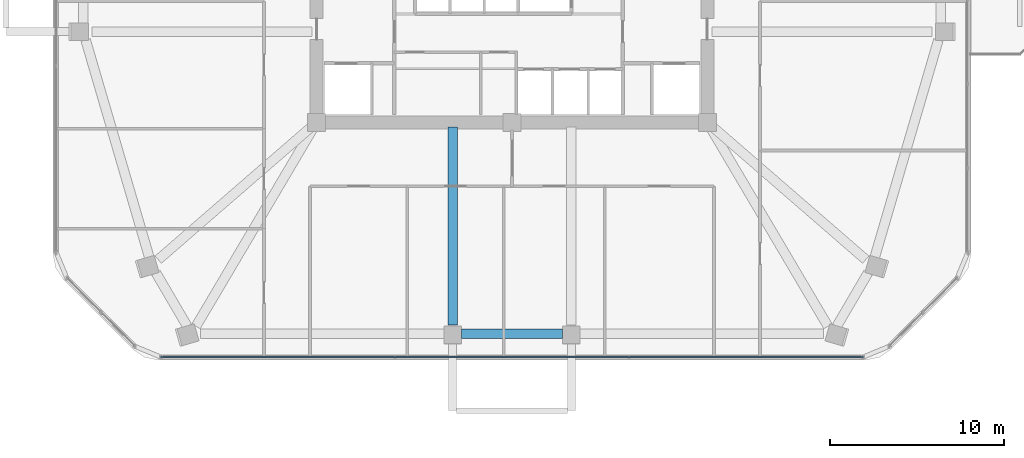
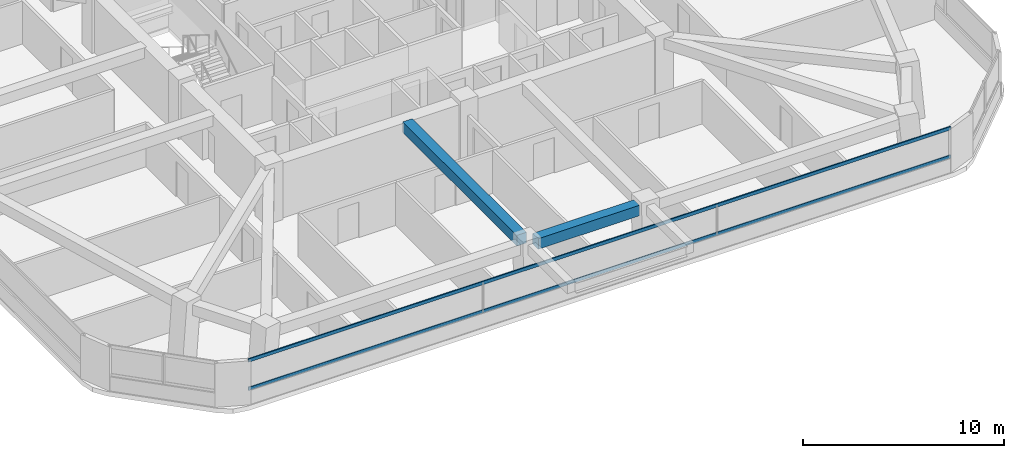
# One storey, part 3 of 14: 2 beams, 2 members, 1 element without a shape of its own.
"""IFC4 building model written with IfcOpenShell, lengths in metres."""

from ifc_helpers import new_model, si_unit, derived_unit, direction, frame, origin, origin_2d, place, context, subcontext, project, spatial, rectangle, extrude, material, material_profile, profile_set, type_object, element, aggregate, save


model = new_model("IFC4")

# Units and contexts
model_context = context("Model", 3, precision=1e-05, world=origin(), true_north=direction((0.0, 1.0)))
body_context = subcontext(model_context, "Body", "Model", "MODEL_VIEW")
ifc_project = project(units=[si_unit("LENGTHUNIT", "METRE"), si_unit("AREAUNIT", "SQUARE_METRE"), si_unit("VOLUMEUNIT", "CUBIC_METRE"), si_unit("PLANEANGLEUNIT", "RADIAN"), si_unit("MASSUNIT", "GRAM", prefix="KILO"), derived_unit("THERMALTRANSMITTANCEUNIT", [(si_unit("POWERUNIT", "WATT"), 1), (si_unit("LENGTHUNIT", "METRE"), -2), (si_unit("THERMODYNAMICTEMPERATUREUNIT", "KELVIN"), -1)])], contexts=[model_context])

# Site, building, storey
site_placement = place(None, origin())
site = spatial("IfcSite", under=ifc_project, at=site_placement, CompositionType="ELEMENT")
building_placement = place(site_placement, origin())
building = spatial("IfcBuilding", under=site, at=building_placement, Name="Koralith Skygarden Medical Center", CompositionType="ELEMENT")
storey_placement = place(building_placement, frame((0.0, 0.0, 95.580078125)))
storey = spatial("IfcBuildingStorey", under=building, at=storey_placement, Name="L24", CompositionType="ELEMENT", Elevation=95.580078125)

# Curtain wall, members
ifc_material_1 = material(Name="Clear Laminated Glass", Category="glass")
curtain_wall_type = type_object("IfcCurtainWallType", Name="CW-3 Zone 2 Faceted Solar Curtain Wall", PredefinedType="NOTDEFINED", material=ifc_material_1)
curtain_wall_placement = place(storey_placement, origin())
curtain_wall = element("IfcCurtainWall", 1, at=curtain_wall_placement, inside=storey, type_object=curtain_wall_type, Name="Curtain Wall CW-L24-S", PredefinedType="NOTDEFINED")
ifc_material_2 = material(Name="Aluminium 6063-T6", Category="aluminium")
ifc_material_profile_1 = material_profile(ifc_material_2, rectangle(XDim=0.069091796875, YDim=0.197998046875, at=origin_2d()), Name="TRN69X198")
ifc_profile_set_1 = profile_set([ifc_material_profile_1], Name="Aluminium 6063-T6")
member_type = type_object("IfcMemberType", Name="CW-3 Thermal Transom 69x198", PredefinedType="USERDEFINED", material=ifc_profile_set_1)
member_1_placement = place(storey_placement, frame((16.860107421875, 3.85693359375, 0.89990234375), z_axis=(1.0, 0.0, 0.0), x_axis=(0.0, 1.0, 0.0)))
member_1 = element("IfcMember", 2, at=member_1_placement, type_object=member_type, Name="CW-L24-S Transom 1", ObjectType="TRANSOM", PredefinedType="USERDEFINED", context=body_context, shape_type="SweptSolid", body=[
    extrude(rectangle(XDim=0.069091796875, YDim=0.197998046875, at=origin_2d()), origin(), (0.0, 0.0, 1.0), 40.27978515625),
])
member_2_placement = place(storey_placement, frame((16.860107421875, 3.85693359375, 2.619873046875), z_axis=(1.0, 0.0, 0.0), x_axis=(0.0, 1.0, 0.0)))
member_2 = element("IfcMember", 3, at=member_2_placement, type_object=member_type, Name="CW-L24-S Transom 2", ObjectType="TRANSOM", PredefinedType="USERDEFINED", context=body_context, shape_type="SweptSolid", body=[
    extrude(rectangle(XDim=0.069091796875, YDim=0.197998046875, at=origin_2d()), origin(), (0.0, 0.0, 1.0), 40.27978515625),
])
aggregate(curtain_wall, [member_1, member_2])

# Beams
ifc_material_3 = material(Name="Concrete C45/55", Category="concrete")
ifc_material_profile_2 = material_profile(ifc_material_3, rectangle(XDim=0.550048828125, YDim=0.639892578125, at=origin_2d()), Name="RCB550X640")
ifc_profile_set_2 = profile_set([ifc_material_profile_2], Name="Concrete C45/55")
beam_type_1 = type_object("IfcBeamType", Name="Radial Collector Beam RCB550X640", PredefinedType="BEAM", material=ifc_profile_set_2)
beam_1_placement = place(storey_placement, frame((33.60009765625, 17.050048828125, 3.0), z_axis=(0.0, -1.0, 0.0), x_axis=(1.0, 0.0, 0.0)))
element("IfcBeam", 4, at=beam_1_placement, inside=storey, type_object=beam_type_1, Name="L24 Radial Collector Beam RB-04", PredefinedType="BEAM", context=body_context, shape_type="SweptSolid", body=[
    extrude(rectangle(XDim=0.550048828125, YDim=0.639892578125, at=origin_2d()), origin(), (0.0, 0.0, 1.0), 11.364990234375),
])
ifc_material_profile_3 = material_profile(ifc_material_3, rectangle(XDim=0.550048828125, YDim=0.639892578125, at=origin_2d()), Name="RCB550X640")
ifc_profile_set_3 = profile_set([ifc_material_profile_3], Name="Concrete C45/55")
beam_type_2 = type_object("IfcBeamType", Name="Zone 2-3 Spandrel Beam RCB550X640", PredefinedType="SPANDREL", material=ifc_profile_set_3)
beam_2_placement = place(storey_placement, frame((34.10009765625, 5.18505859375, 3.0), z_axis=(1.0, 0.0, 0.0), x_axis=(0.0, 1.0, 0.0)))
element("IfcBeam", 5, at=beam_2_placement, inside=storey, type_object=beam_type_2, Name="L24 Perimeter Spandrel Beam SP-04", PredefinedType="SPANDREL", context=body_context, shape_type="SweptSolid", body=[
    extrude(rectangle(XDim=0.550048828125, YDim=0.639892578125, at=origin_2d()), origin(), (0.0, 0.0, 1.0), 5.7998046875),
])

save(model, "model.ifc")
